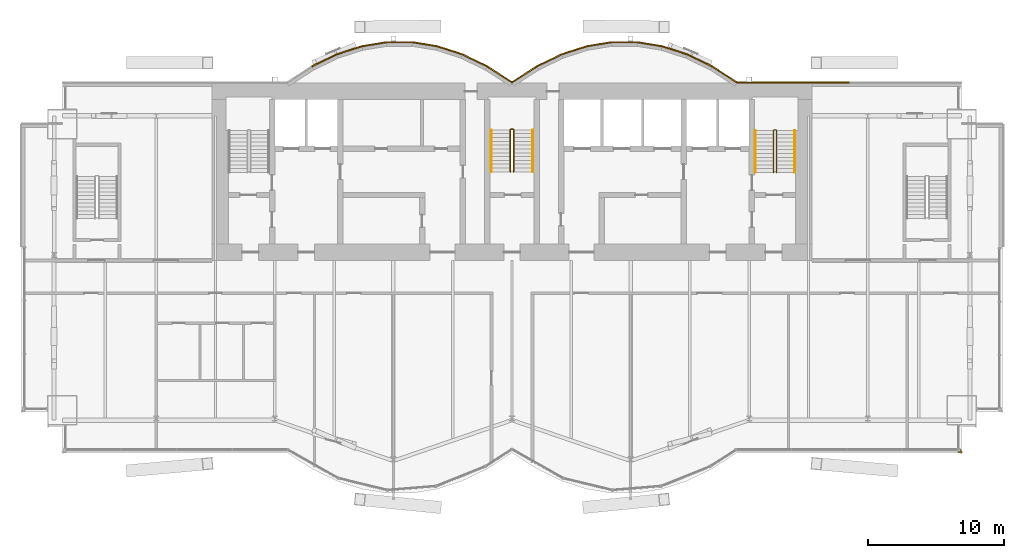
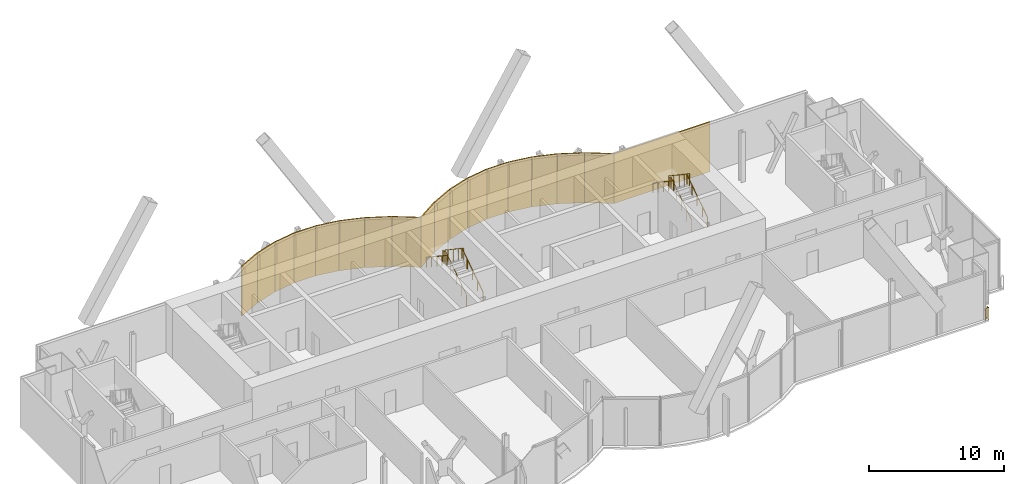
# One storey, part 18 of 19: 18 coverings, 7 railings.
"""IFC4 building model written with IfcOpenShell, lengths in metres."""

from ifc_helpers import new_model, si_unit, direction, frame, origin, origin_2d, place, context, subcontext, project, spatial, rectangle, circle, extrude, material, layer, layer_set, type_object, element, save


model = new_model("IFC4")

# Units and contexts
model_context = context("Model", 3, precision=1e-05, world=origin(), true_north=direction((0.0, 1.0)))
body_context = subcontext(model_context, "Body", "Model", "MODEL_VIEW")
ifc_project = project(units=[si_unit("LENGTHUNIT", "METRE"), si_unit("AREAUNIT", "SQUARE_METRE"), si_unit("VOLUMEUNIT", "CUBIC_METRE"), si_unit("PLANEANGLEUNIT", "RADIAN"), si_unit("MASSUNIT", "GRAM", prefix="KILO")], contexts=[model_context])

# Site, building, storey
site_placement = place(None, origin())
site = spatial("IfcSite", under=ifc_project, at=site_placement, CompositionType="ELEMENT")
building_placement = place(site_placement, origin())
building = spatial("IfcBuilding", under=site, at=building_placement, Name="Bicima Exchange Tower", CompositionType="ELEMENT")
storey_placement = place(building_placement, frame((0.0, 0.0, 297.5)))
storey = spatial("IfcBuildingStorey", under=building, at=storey_placement, Name="L67", CompositionType="ELEMENT", Elevation=297.5)

# Coverings
ifc_material_1 = material(Name="Bronze metal cladding")
ifc_layer_1 = layer(ifc_material_1, 0.004)
ifc_material_2 = material(Name="Ventilated cavity")
ifc_layer_2 = layer(ifc_material_2, 0.06)
ifc_material_3 = material(Name="Galvanised steel rail and mineral wool", Category="steel")
ifc_layer_3 = layer(ifc_material_3, 0.036)
ifc_layer_set = layer_set([ifc_layer_1, ifc_layer_2, ifc_layer_3], Name="Ventilated cavity")
covering_type = type_object("IfcCoveringType", Name="Bronze metal cladding panel 100", PredefinedType="CLADDING", material=ifc_layer_set)
covering_1_placement = place(storey_placement, frame((20.625, 0.050048828125, -0.14990234375), z_axis=(0.0, 0.0, 1.0), x_axis=(-1.0, 0.0, 0.0)))
element("IfcCovering", 1, at=covering_1_placement, inside=storey, type_object=covering_type, Name="Bronze cladding L67 1.2", PredefinedType="CLADDING", context=body_context, shape_type="SweptSolid", body=[
    extrude(rectangle(XDim=8.25, YDim=0.10009765625, at=origin_2d()), origin(), (0.0, 0.0, 1.0), 4.5),
])
covering_2_placement = place(storey_placement, frame((15.610595703125, 0.634521484375, -0.14990234375), z_axis=(0.0, 0.0, 1.0), x_axis=(-0.839790466384, 0.542910648791, 0.0)))
element("IfcCovering", 2, at=covering_2_placement, inside=storey, type_object=covering_type, Name="Bronze cladding L67 2.1", PredefinedType="CLADDING", context=body_context, shape_type="SweptSolid", body=[
    extrude(rectangle(XDim=2.18310546875, YDim=0.10009765625, at=origin_2d()), origin(), (0.0, 0.0, 1.0), 4.5),
])
covering_3_placement = place(storey_placement, frame((13.771728515625, 1.674560546875, -0.14990234375), z_axis=(0.0, 0.0, 1.0), x_axis=(-0.899818346812, 0.436264762204, 0.0)))
element("IfcCovering", 3, at=covering_3_placement, inside=storey, type_object=covering_type, Name="Bronze cladding L67 3.1", PredefinedType="CLADDING", context=body_context, shape_type="SweptSolid", body=[
    extrude(rectangle(XDim=2.03759765625, YDim=0.10009765625, at=origin_2d()), origin(), (0.0, 0.0, 1.0), 4.5),
])
covering_4_placement = place(storey_placement, frame((11.931884765625, 2.41796875, -0.14990234375), z_axis=(0.0, 0.0, 1.0), x_axis=(-0.951524642381, 0.307572519808, 0.0)))
element("IfcCovering", 4, at=covering_4_placement, inside=storey, type_object=covering_type, Name="Bronze cladding L67 4.1", PredefinedType="CLADDING", context=body_context, shape_type="SweptSolid", body=[
    extrude(rectangle(XDim=1.9267578125, YDim=0.10009765625, at=origin_2d()), origin(), (0.0, 0.0, 1.0), 4.5),
])
covering_5_placement = place(storey_placement, frame((10.09130859375, 2.8642578125, -0.14990234375), z_axis=(0.0, 0.0, 1.0), x_axis=(-0.987189786347, 0.159550386184, 0.0)))
element("IfcCovering", 5, at=covering_5_placement, inside=storey, type_object=covering_type, Name="Bronze cladding L67 5.1", PredefinedType="CLADDING", context=body_context, shape_type="SweptSolid", body=[
    extrude(rectangle(XDim=1.857177734375, YDim=0.10009765625, at=origin_2d()), origin(), (0.0, 0.0, 1.0), 4.5),
])
covering_6_placement = place(storey_placement, frame((8.25, 3.012939453125, -0.14990234375), z_axis=(0.0, 0.0, 1.0), x_axis=(-1.0, 0.0, 0.0)))
element("IfcCovering", 6, at=covering_6_placement, inside=storey, type_object=covering_type, Name="Bronze cladding L67 6.1", PredefinedType="CLADDING", context=body_context, shape_type="SweptSolid", body=[
    extrude(rectangle(XDim=1.83349609375, YDim=0.10009765625, at=origin_2d()), origin(), (0.0, 0.0, 1.0), 4.5),
])
covering_7_placement = place(storey_placement, frame((6.40869140625, 2.8642578125, -0.14990234375), z_axis=(0.0, 0.0, 1.0), x_axis=(-0.987189786347, -0.159550386184, 0.0)))
element("IfcCovering", 7, at=covering_7_placement, inside=storey, type_object=covering_type, Name="Bronze cladding L67 7.1", PredefinedType="CLADDING", context=body_context, shape_type="SweptSolid", body=[
    extrude(rectangle(XDim=1.857177734375, YDim=0.10009765625, at=origin_2d()), origin(), (0.0, 0.0, 1.0), 4.5),
])
covering_8_placement = place(storey_placement, frame((4.568115234375, 2.41796875, -0.14990234375), z_axis=(0.0, 0.0, 1.0), x_axis=(-0.951524642381, -0.307572519808, 0.0)))
element("IfcCovering", 8, at=covering_8_placement, inside=storey, type_object=covering_type, Name="Bronze cladding L67 8.1", PredefinedType="CLADDING", context=body_context, shape_type="SweptSolid", body=[
    extrude(rectangle(XDim=1.9267578125, YDim=0.10009765625, at=origin_2d()), origin(), (0.0, 0.0, 1.0), 4.5),
])
covering_9_placement = place(storey_placement, frame((2.728271484375, 1.674560546875, -0.14990234375), z_axis=(0.0, 0.0, 1.0), x_axis=(-0.899818346812, -0.436264762204, 0.0)))
element("IfcCovering", 9, at=covering_9_placement, inside=storey, type_object=covering_type, Name="Bronze cladding L67 9.1", PredefinedType="CLADDING", context=body_context, shape_type="SweptSolid", body=[
    extrude(rectangle(XDim=2.03759765625, YDim=0.10009765625, at=origin_2d()), origin(), (0.0, 0.0, 1.0), 4.5),
])
for number, where, z_axis, x_axis, name in (
    (10, (0.889404296875, 0.634521484375, -0.14990234375), (0.0, 0.0, 1.0), (-0.839790466384, -0.542910648791, 0.0), "Bronze cladding L67 10.1"),
    (11, (-0.889404296875, 0.634521484375, -0.14990234375), (0.0, 0.0, 1.0), (-0.839790466384, 0.542910648791, 0.0), "Bronze cladding L67 11.1"),
):
    element("IfcCovering", number, at=place(storey_placement, frame(where, z_axis=z_axis, x_axis=x_axis)), inside=storey, type_object=covering_type, Name=name, PredefinedType="CLADDING", context=body_context, shape_type="SweptSolid", body=[
        extrude(rectangle(XDim=2.18310546875, YDim=0.10009765625, at=origin_2d()), origin(), (0.0, 0.0, 1.0), 4.5),
    ])
covering_10_placement = place(storey_placement, frame((-2.728271484375, 1.674560546875, -0.14990234375), z_axis=(0.0, 0.0, 1.0), x_axis=(-0.899818346812, 0.436264762204, 0.0)))
element("IfcCovering", 12, at=covering_10_placement, inside=storey, type_object=covering_type, Name="Bronze cladding L67 12.1", PredefinedType="CLADDING", context=body_context, shape_type="SweptSolid", body=[
    extrude(rectangle(XDim=2.03759765625, YDim=0.10009765625, at=origin_2d()), origin(), (0.0, 0.0, 1.0), 4.5),
])
covering_11_placement = place(storey_placement, frame((-4.568115234375, 2.41796875, -0.14990234375), z_axis=(0.0, 0.0, 1.0), x_axis=(-0.951524642381, 0.307572519808, 0.0)))
element("IfcCovering", 13, at=covering_11_placement, inside=storey, type_object=covering_type, Name="Bronze cladding L67 13.1", PredefinedType="CLADDING", context=body_context, shape_type="SweptSolid", body=[
    extrude(rectangle(XDim=1.9267578125, YDim=0.10009765625, at=origin_2d()), origin(), (0.0, 0.0, 1.0), 4.5),
])
covering_12_placement = place(storey_placement, frame((-6.40869140625, 2.8642578125, -0.14990234375), z_axis=(0.0, 0.0, 1.0), x_axis=(-0.987189786347, 0.159550386184, 0.0)))
element("IfcCovering", 14, at=covering_12_placement, inside=storey, type_object=covering_type, Name="Bronze cladding L67 14.1", PredefinedType="CLADDING", context=body_context, shape_type="SweptSolid", body=[
    extrude(rectangle(XDim=1.857177734375, YDim=0.10009765625, at=origin_2d()), origin(), (0.0, 0.0, 1.0), 4.5),
])
covering_13_placement = place(storey_placement, frame((-8.25, 3.012939453125, -0.14990234375), z_axis=(0.0, 0.0, 1.0), x_axis=(-1.0, 0.0, 0.0)))
element("IfcCovering", 15, at=covering_13_placement, inside=storey, type_object=covering_type, Name="Bronze cladding L67 15.1", PredefinedType="CLADDING", context=body_context, shape_type="SweptSolid", body=[
    extrude(rectangle(XDim=1.83349609375, YDim=0.10009765625, at=origin_2d()), origin(), (0.0, 0.0, 1.0), 4.5),
])
covering_14_placement = place(storey_placement, frame((-10.09130859375, 2.8642578125, -0.14990234375), z_axis=(0.0, 0.0, 1.0), x_axis=(-0.987189786347, -0.159550386184, 0.0)))
element("IfcCovering", 16, at=covering_14_placement, inside=storey, type_object=covering_type, Name="Bronze cladding L67 16.1", PredefinedType="CLADDING", context=body_context, shape_type="SweptSolid", body=[
    extrude(rectangle(XDim=1.857177734375, YDim=0.10009765625, at=origin_2d()), origin(), (0.0, 0.0, 1.0), 4.5),
])
covering_15_placement = place(storey_placement, frame((-11.931884765625, 2.41796875, -0.14990234375), z_axis=(0.0, 0.0, 1.0), x_axis=(-0.951524642381, -0.307572519808, 0.0)))
element("IfcCovering", 17, at=covering_15_placement, inside=storey, type_object=covering_type, Name="Bronze cladding L67 17.1", PredefinedType="CLADDING", context=body_context, shape_type="SweptSolid", body=[
    extrude(rectangle(XDim=1.9267578125, YDim=0.10009765625, at=origin_2d()), origin(), (0.0, 0.0, 1.0), 4.5),
])
covering_16_placement = place(storey_placement, frame((-13.771728515625, 1.674560546875, -0.14990234375), z_axis=(0.0, 0.0, 1.0), x_axis=(-0.899818346812, -0.436264762204, 0.0)))
element("IfcCovering", 18, at=covering_16_placement, inside=storey, type_object=covering_type, Name="Bronze cladding L67 18.1", PredefinedType="CLADDING", context=body_context, shape_type="SweptSolid", body=[
    extrude(rectangle(XDim=2.03759765625, YDim=0.10009765625, at=origin_2d()), origin(), (0.0, 0.0, 1.0), 4.5),
])

# Railings
ifc_material_4 = material(Name="Stainless steel and bonded safety glass", Category="steel")
railing_type_1 = type_object("IfcRailingType", Name="Edge guard 1100", PredefinedType="GUARDRAIL", material=ifc_material_4)
railing_1_placement = place(storey_placement, frame((32.949951171875, -26.8779296875, 0.0)))
element("IfcRailing", 19, at=railing_1_placement, inside=storey, type_object=railing_type_1, Name="Edge guard L67 346", PredefinedType="GUARDRAIL", context=body_context, shape_type="SweptSolid", body=[
    extrude(circle(Radius=0.02392578125, at=origin_2d()), frame((0.0, 0.0, 1.076171875), z_axis=(0.0, -1.0, 0.0), x_axis=(1.0, 0.0, 0.0)), (0.0, 0.0, 1.0), 0.238037109375),
    extrude(circle(Radius=0.02392578125, at=origin_2d()), frame((0.0, -0.238037109375, 1.076171875), z_axis=(0.707106781187, 0.707106781187, 0.0), x_axis=(-0.707106781187, 0.707106781187, 0.0)), (0.0, 0.0, 1.0), 0.07080078125),
    extrude(circle(Radius=0.02392578125, at=origin_2d()), frame((0.050048828125, -0.18798828125, 1.076171875), z_axis=(-1.0, 0.0, 0.0), x_axis=(0.0, -1.0, 0.0)), (0.0, 0.0, 1.0), 0.25),
    extrude(circle(Radius=0.02099609375, at=origin_2d()), origin(), (0.0, 0.0, 1.0), 1.052001953125),
    extrude(circle(Radius=0.02099609375, at=origin_2d()), frame((0.0, -0.238037109375, 0.0)), (0.0, 0.0, 1.0), 1.052001953125),
    extrude(circle(Radius=0.02099609375, at=origin_2d()), frame((0.050048828125, -0.18798828125, 0.0)), (0.0, 0.0, 1.0), 1.052001953125),
    extrude(circle(Radius=0.02099609375, at=origin_2d()), frame((-0.199951171875, -0.18798828125, 0.0)), (0.0, 0.0, 1.0), 1.052001953125),
])
ifc_material_5 = material(Name="Stainless steel", Category="steel")
railing_type_2 = type_object("IfcRailingType", Name="Stair guard 1100", PredefinedType="GUARDRAIL", material=ifc_material_5)
railing_2_placement = place(storey_placement, frame((0.125, -6.5, 0.1875)))
element("IfcRailing", 20, at=railing_2_placement, inside=storey, type_object=railing_type_2, Name="L67 ST-C stair guard 1", PredefinedType="GUARDRAIL", context=body_context, shape_type="SweptSolid", body=[
    extrude(circle(Radius=0.02392578125, at=origin_2d()), frame((0.0, 0.0, 1.076171875), z_axis=(0.0, 0.830913701846, 0.55640131208), x_axis=(-1.0, 0.0, 0.0)), (0.0, 0.0, 1.0), 3.706787109375),
    extrude(circle(Radius=0.02392578125, at=origin_2d()), frame((0.0, 3.080078125, 3.138671875), z_axis=(-0.708833529934, 0.705375805398, 0.0), x_axis=(-0.705375805398, -0.708833529934, 0.0)), (0.0, 0.0, 1.0), 0.070556640625),
    extrude(circle(Radius=0.02392578125, at=origin_2d()), frame((-0.050048828125, 3.1298828125, 3.138671875), z_axis=(-1.0, 0.0, 0.0), x_axis=(0.0, -1.0, 0.0)), (0.0, 0.0, 1.0), 0.14990234375),
    extrude(circle(Radius=0.02392578125, at=origin_2d()), frame((-0.199951171875, 3.1298828125, 3.138671875), z_axis=(-0.249802250048, -0.248583702486, 0.935844527007), x_axis=(0.705375805398, -0.708833529934, 0.0)), (0.0, 0.0, 1.0), 0.200439453125),
    extrude(circle(Radius=0.02392578125, at=origin_2d()), frame((-0.25, 3.080078125, 3.326171875), z_axis=(0.0, -0.830913701846, 0.55640131208), x_axis=(1.0, 0.0, 0.0)), (0.0, 0.0, 1.0), 3.706787109375),
    extrude(circle(Radius=0.02099609375, at=origin_2d()), origin(), (0.0, 0.0, 1.0), 1.052001953125),
    extrude(circle(Radius=0.02099609375, at=origin_2d()), frame((0.0, 0.77001953125, 0.515625)), (0.0, 0.0, 1.0), 1.052001953125),
    extrude(circle(Radius=0.02099609375, at=origin_2d()), frame((0.0, 1.5400390625, 1.03125)), (0.0, 0.0, 1.0), 1.052001953125),
    extrude(circle(Radius=0.02099609375, at=origin_2d()), frame((0.0, 2.31005859375, 1.546875)), (0.0, 0.0, 1.0), 1.052001953125),
    extrude(circle(Radius=0.02099609375, at=origin_2d()), frame((0.0, 3.080078125, 2.0625)), (0.0, 0.0, 1.0), 1.052001953125),
    extrude(circle(Radius=0.02099609375, at=origin_2d()), frame((-0.050048828125, 3.1298828125, 2.0625)), (0.0, 0.0, 1.0), 1.052001953125),
    extrude(circle(Radius=0.02099609375, at=origin_2d()), frame((-0.199951171875, 3.1298828125, 2.0625)), (0.0, 0.0, 1.0), 1.052001953125),
    extrude(circle(Radius=0.02099609375, at=origin_2d()), frame((-0.25, 3.080078125, 2.25)), (0.0, 0.0, 1.0), 1.052001953125),
    extrude(circle(Radius=0.02099609375, at=origin_2d()), frame((-0.25, 2.31005859375, 2.765625)), (0.0, 0.0, 1.0), 1.052001953125),
    extrude(circle(Radius=0.02099609375, at=origin_2d()), frame((-0.25, 1.5400390625, 3.28125)), (0.0, 0.0, 1.0), 1.052001953125),
    extrude(circle(Radius=0.02099609375, at=origin_2d()), frame((-0.25, 0.77001953125, 3.796875)), (0.0, 0.0, 1.0), 1.052001953125),
    extrude(circle(Radius=0.02099609375, at=origin_2d()), frame((-0.25, 0.0, 4.3125)), (0.0, 0.0, 1.0), 1.052001953125),
])
railing_3_placement = place(storey_placement, frame((19.39990234375, -6.550048828125, 0.1875)))
element("IfcRailing", 21, at=railing_3_placement, inside=storey, type_object=railing_type_2, Name="L67 ST-E stair guard 1", PredefinedType="GUARDRAIL", context=body_context, shape_type="SweptSolid", body=[
    extrude(circle(Radius=0.02392578125, at=origin_2d()), frame((0.0, 0.0, 1.076171875), z_axis=(0.0, 0.830913701846, 0.55640131208), x_axis=(-1.0, 0.0, 0.0)), (0.0, 0.0, 1.0), 3.706787109375),
    extrude(circle(Radius=0.02392578125, at=origin_2d()), frame((0.0, 3.080078125, 3.138671875), z_axis=(-0.705375805398, 0.708833529934, 0.0), x_axis=(-0.708833529934, -0.705375805398, 0.0)), (0.0, 0.0, 1.0), 0.070556640625),
    extrude(circle(Radius=0.02392578125, at=origin_2d()), frame((-0.0498046875, 3.130126953125, 3.138671875), z_axis=(-1.0, 0.0, 0.0), x_axis=(0.0, -1.0, 0.0)), (0.0, 0.0, 1.0), 0.10009765625),
    extrude(circle(Radius=0.02392578125, at=origin_2d()), frame((-0.14990234375, 3.130126953125, 3.138671875), z_axis=(-0.249726431254, -0.249726431254, 0.935560483917), x_axis=(0.707106781187, -0.707106781187, 0.0)), (0.0, 0.0, 1.0), 0.200439453125),
    extrude(circle(Radius=0.02392578125, at=origin_2d()), frame((-0.199951171875, 3.080078125, 3.326171875), z_axis=(0.0, -0.830913701846, 0.55640131208), x_axis=(1.0, 0.0, 0.0)), (0.0, 0.0, 1.0), 3.706787109375),
    extrude(circle(Radius=0.02099609375, at=origin_2d()), origin(), (0.0, 0.0, 1.0), 1.052001953125),
    extrude(circle(Radius=0.02099609375, at=origin_2d()), frame((0.0, 0.77001953125, 0.515625)), (0.0, 0.0, 1.0), 1.052001953125),
    extrude(circle(Radius=0.02099609375, at=origin_2d()), frame((0.0, 1.5400390625, 1.03125)), (0.0, 0.0, 1.0), 1.052001953125),
    extrude(circle(Radius=0.02099609375, at=origin_2d()), frame((0.0, 2.31005859375, 1.546875)), (0.0, 0.0, 1.0), 1.052001953125),
    extrude(circle(Radius=0.02099609375, at=origin_2d()), frame((0.0, 3.080078125, 2.0625)), (0.0, 0.0, 1.0), 1.052001953125),
    extrude(circle(Radius=0.02099609375, at=origin_2d()), frame((-0.0498046875, 3.130126953125, 2.0625)), (0.0, 0.0, 1.0), 1.052001953125),
    extrude(circle(Radius=0.02099609375, at=origin_2d()), frame((-0.14990234375, 3.130126953125, 2.0625)), (0.0, 0.0, 1.0), 1.052001953125),
    extrude(circle(Radius=0.02099609375, at=origin_2d()), frame((-0.199951171875, 3.080078125, 2.25)), (0.0, 0.0, 1.0), 1.052001953125),
    extrude(circle(Radius=0.02099609375, at=origin_2d()), frame((-0.199951171875, 2.31005859375, 2.765625)), (0.0, 0.0, 1.0), 1.052001953125),
    extrude(circle(Radius=0.02099609375, at=origin_2d()), frame((-0.199951171875, 1.5400390625, 3.28125)), (0.0, 0.0, 1.0), 1.052001953125),
    extrude(circle(Radius=0.02099609375, at=origin_2d()), frame((-0.199951171875, 0.77001953125, 3.796875)), (0.0, 0.0, 1.0), 1.052001953125),
    extrude(circle(Radius=0.02099609375, at=origin_2d()), frame((-0.199951171875, 0.0, 4.3125)), (0.0, 0.0, 1.0), 1.052001953125),
])
railing_type_3 = type_object("IfcRailingType", Name="Stair handrail 900", PredefinedType="HANDRAIL", material=ifc_material_5)
railing_4_placement = place(storey_placement, frame((1.52490234375, -6.5, 0.1875)))
element("IfcRailing", 22, at=railing_4_placement, inside=storey, type_object=railing_type_3, Name="L67 ST-C stair handrail 1", PredefinedType="HANDRAIL", context=body_context, shape_type="SweptSolid", body=[
    extrude(circle(Radius=0.02392578125, at=origin_2d()), frame((0.0, 0.0, 0.8759765625), z_axis=(0.0, 0.830913701846, 0.55640131208), x_axis=(-1.0, 0.0, 0.0)), (0.0, 0.0, 1.0), 3.706787109375),
    extrude(circle(Radius=0.02099609375, at=origin_2d()), origin(), (0.0, 0.0, 1.0), 0.851806640625),
    extrude(circle(Radius=0.02099609375, at=origin_2d()), frame((0.0, 0.77001953125, 0.515625)), (0.0, 0.0, 1.0), 0.851806640625),
    extrude(circle(Radius=0.02099609375, at=origin_2d()), frame((0.0, 1.5400390625, 1.03125)), (0.0, 0.0, 1.0), 0.851806640625),
    extrude(circle(Radius=0.02099609375, at=origin_2d()), frame((0.0, 2.31005859375, 1.546875)), (0.0, 0.0, 1.0), 0.851806640625),
    extrude(circle(Radius=0.02099609375, at=origin_2d()), frame((0.0, 3.080078125, 2.0625)), (0.0, 0.0, 1.0), 0.851806640625),
])
railing_5_placement = place(storey_placement, frame((-1.52490234375, -3.419921875, 2.47900390625)))
element("IfcRailing", 23, at=railing_5_placement, inside=storey, type_object=railing_type_3, Name="L67 ST-C stair handrail 2", PredefinedType="HANDRAIL", context=body_context, shape_type="SweptSolid", body=[
    extrude(circle(Radius=0.02392578125, at=origin_2d()), frame((0.0, 0.0, 0.8759765625), z_axis=(0.0, -0.830913701846, 0.55640131208), x_axis=(1.0, 0.0, 0.0)), (0.0, 0.0, 1.0), 3.706787109375),
    extrude(circle(Radius=0.02099609375, at=origin_2d()), origin(), (0.0, 0.0, 1.0), 0.851806640625),
    extrude(circle(Radius=0.02099609375, at=origin_2d()), frame((0.0, -0.77001953125, 0.515625)), (0.0, 0.0, 1.0), 0.851806640625),
    extrude(circle(Radius=0.02099609375, at=origin_2d()), frame((0.0, -1.5400390625, 1.03125)), (0.0, 0.0, 1.0), 0.851806640625),
    extrude(circle(Radius=0.02099609375, at=origin_2d()), frame((0.0, -2.31005859375, 1.546875)), (0.0, 0.0, 1.0), 0.851806640625),
    extrude(circle(Radius=0.02099609375, at=origin_2d()), frame((0.0, -3.080078125, 2.0625)), (0.0, 0.0, 1.0), 0.851806640625),
])
railing_6_placement = place(storey_placement, frame((20.75, -6.550048828125, 0.1875)))
element("IfcRailing", 24, at=railing_6_placement, inside=storey, type_object=railing_type_3, Name="L67 ST-E stair handrail 1", PredefinedType="HANDRAIL", context=body_context, shape_type="SweptSolid", body=[
    extrude(circle(Radius=0.02392578125, at=origin_2d()), frame((0.0, 0.0, 0.8759765625), z_axis=(0.0, 0.830913701846, 0.55640131208), x_axis=(-1.0, 0.0, 0.0)), (0.0, 0.0, 1.0), 3.706787109375),
    extrude(circle(Radius=0.02099609375, at=origin_2d()), origin(), (0.0, 0.0, 1.0), 0.851806640625),
    extrude(circle(Radius=0.02099609375, at=origin_2d()), frame((0.0, 0.77001953125, 0.515625)), (0.0, 0.0, 1.0), 0.851806640625),
    extrude(circle(Radius=0.02099609375, at=origin_2d()), frame((0.0, 1.5400390625, 1.03125)), (0.0, 0.0, 1.0), 0.851806640625),
    extrude(circle(Radius=0.02099609375, at=origin_2d()), frame((0.0, 2.31005859375, 1.546875)), (0.0, 0.0, 1.0), 0.851806640625),
    extrude(circle(Radius=0.02099609375, at=origin_2d()), frame((0.0, 3.080078125, 2.0625)), (0.0, 0.0, 1.0), 0.851806640625),
])
railing_7_placement = place(storey_placement, frame((17.85009765625, -3.469970703125, 2.47900390625)))
element("IfcRailing", 25, at=railing_7_placement, inside=storey, type_object=railing_type_3, Name="L67 ST-E stair handrail 2", PredefinedType="HANDRAIL", context=body_context, shape_type="SweptSolid", body=[
    extrude(circle(Radius=0.02392578125, at=origin_2d()), frame((0.0, 0.0, 0.8759765625), z_axis=(0.0, -0.830913701846, 0.55640131208), x_axis=(1.0, 0.0, 0.0)), (0.0, 0.0, 1.0), 3.706787109375),
    extrude(circle(Radius=0.02099609375, at=origin_2d()), origin(), (0.0, 0.0, 1.0), 0.851806640625),
    extrude(circle(Radius=0.02099609375, at=origin_2d()), frame((0.0, -0.77001953125, 0.515625)), (0.0, 0.0, 1.0), 0.851806640625),
    extrude(circle(Radius=0.02099609375, at=origin_2d()), frame((0.0, -1.5400390625, 1.03125)), (0.0, 0.0, 1.0), 0.851806640625),
    extrude(circle(Radius=0.02099609375, at=origin_2d()), frame((0.0, -2.31005859375, 1.546875)), (0.0, 0.0, 1.0), 0.851806640625),
    extrude(circle(Radius=0.02099609375, at=origin_2d()), frame((0.0, -3.080078125, 2.0625)), (0.0, 0.0, 1.0), 0.851806640625),
])

save(model, "model.ifc")
